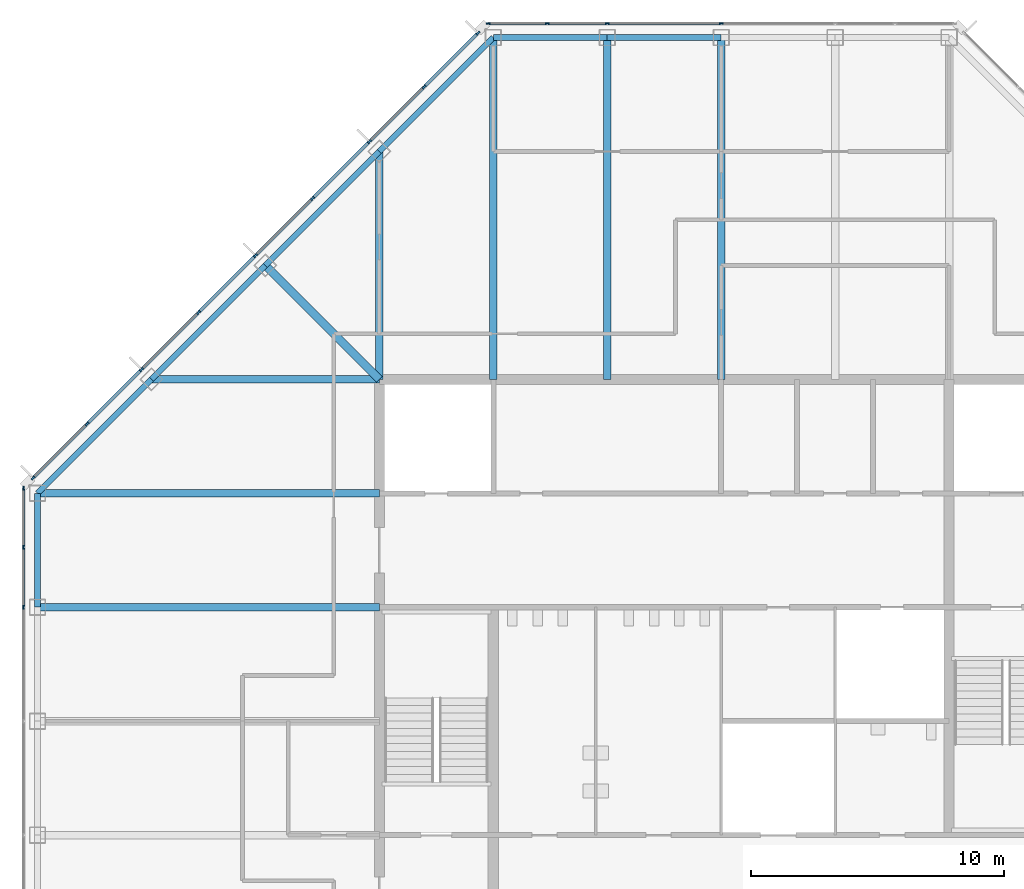
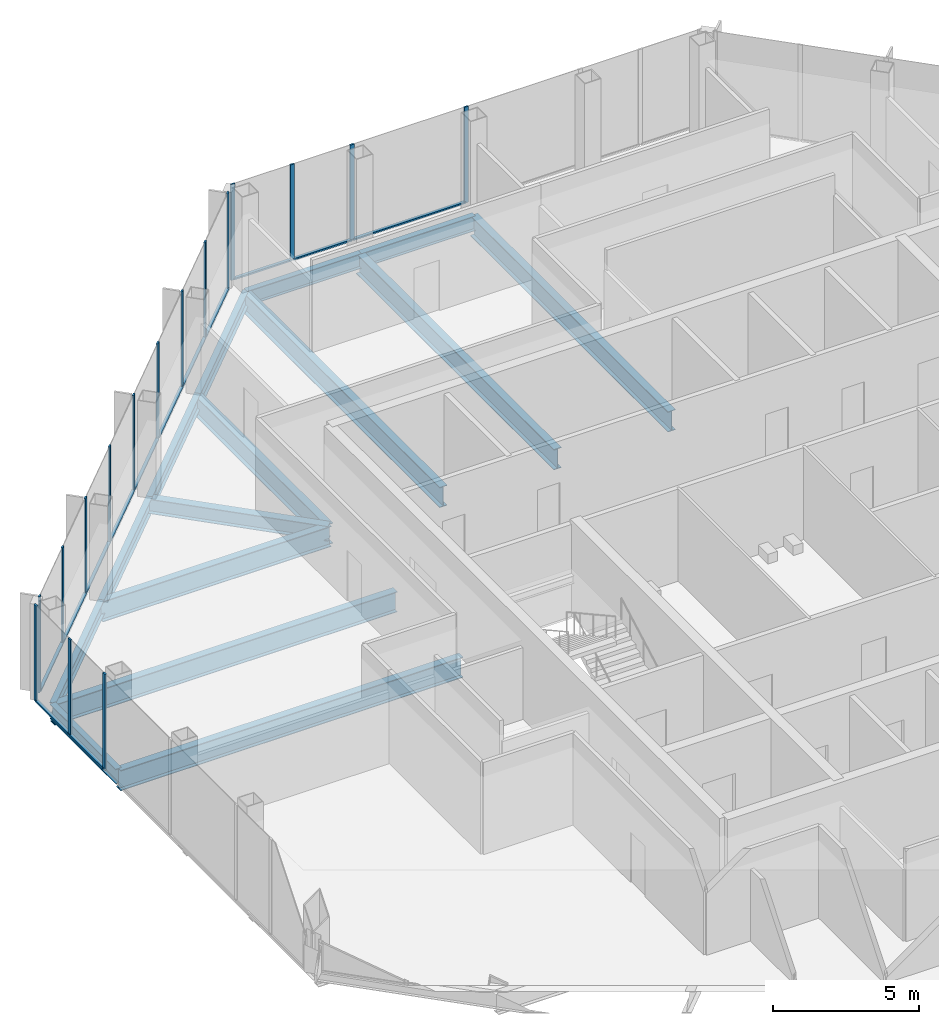
# One storey, part 6 of 13: 29 members, 15 beams, 3 elements without a shape of their own.
"""IFC4 building model written with IfcOpenShell, lengths in metres."""

import ifcopenshell
import ifcopenshell.guid

model = None  # the IFC model being written
_history = None  # IfcOwnerHistory: only IFC2X3 demands one
_inside = {}  # id of a spatial element -> (the spatial element, [elements in it])
_under = {}  # id of a project, library or spatial element -> (it, [spatial elements below it])
_declared = {}  # id of a project -> (the project, [libraries it declares])
_typed = {}  # id of a type object -> (the type object, [elements of that type])
_made_of = {}  # id of a material, layer set ... -> (it, [elements and type objects made of it])


def new_model(schema):
    """Start an empty IFC model of exactly this schema.

    Asked for "IFC4X3", IfcOpenShell would pick the latest addendum, in which some entities
    have other attributes; the version numbers below select the first issue.
    IFC2X3 requires an IfcOwnerHistory on every rooted entity: one is made here for all.
    """
    global model, _history
    if schema == "IFC4X3":
        model = ifcopenshell.file(schema_version=(4, 3, 0, 0))
    else:
        model = ifcopenshell.file(schema=schema)
    _inside.clear()
    _under.clear()
    _declared.clear()
    _typed.clear()
    _made_of.clear()
    _history = None
    if model.schema == "IFC2X3":
        org = make("IfcOrganization", Name="unknown")
        user = make(
            "IfcPersonAndOrganization",
            ThePerson=make("IfcPerson", FamilyName="unknown"),
            TheOrganization=org,
        )
        app = make(
            "IfcApplication",
            ApplicationDeveloper=org,
            Version="unknown",
            ApplicationFullName="unknown",
            ApplicationIdentifier="unknown",
        )
        _history = make(
            "IfcOwnerHistory",
            OwningUser=user,
            OwningApplication=app,
            ChangeAction="ADDED",
            CreationDate=0,
        )
    return model


def make(cls, **values):
    """One entity of the class cls with the attributes given. An attribute that is None is left unset."""
    return model.create_entity(
        cls, **{name: value for name, value in values.items() if value is not None}
    )


def rooted(cls, **values):
    """An entity with a GlobalId (a new one), such as an element, a storey or a relation."""
    return make(cls, GlobalId=ifcopenshell.guid.new(), OwnerHistory=_history, **values)


def si_unit(unit_type, name, prefix=None):
    """IfcSIUnit, for example si_unit("LENGTHUNIT", "METRE", prefix="MILLI")."""
    return make("IfcSIUnit", UnitType=unit_type, Prefix=prefix, Name=name)


def assignment(units):
    """IfcUnitAssignment: the units of a project."""
    return None if units is None else make("IfcUnitAssignment", Units=units)


def point(xyz):
    """IfcCartesianPoint."""
    return None if xyz is None else make("IfcCartesianPoint", Coordinates=xyz)


def direction(xyz):
    """IfcDirection."""
    return None if xyz is None else make("IfcDirection", DirectionRatios=xyz)


def frame(location, z_axis=None, x_axis=None):
    """IfcAxis2Placement3D, a coordinate frame: its origin and axes. An axis left out is left unset."""
    return make(
        "IfcAxis2Placement3D",
        Location=point(location),
        Axis=direction(z_axis),
        RefDirection=direction(x_axis),
    )


def frame_2d(location, x_axis=None):
    """IfcAxis2Placement2D, a coordinate frame in the plane: its origin and x axis."""
    return make(
        "IfcAxis2Placement2D", Location=point(location), RefDirection=direction(x_axis)
    )


def origin():
    """The frame at (0, 0, 0) with its axes left unset."""
    return frame((0.0, 0.0, 0.0))


def origin_2d():
    """The frame at (0, 0) in the plane with its x axis left unset."""
    return frame_2d((0.0, 0.0))


def place(relative_to, where):
    """IfcLocalPlacement: puts the frame where relative to a parent placement (None: the world)."""
    return make(
        "IfcLocalPlacement", PlacementRelTo=relative_to, RelativePlacement=where
    )


def context(
    kind, dimensions, precision=None, world=None, true_north=None, identifier=None
):
    """IfcGeometricRepresentationContext, for example the 3D "Model" context."""
    return make(
        "IfcGeometricRepresentationContext",
        ContextIdentifier=identifier,
        ContextType=kind,
        CoordinateSpaceDimension=dimensions,
        Precision=precision,
        WorldCoordinateSystem=world,
        TrueNorth=true_north,
    )


def subcontext(parent, identifier, kind, view, scale=None):
    """IfcGeometricRepresentationSubContext, for example "Body" below "Model"."""
    return make(
        "IfcGeometricRepresentationSubContext",
        ContextIdentifier=identifier,
        ContextType=kind,
        ParentContext=parent,
        TargetScale=scale,
        TargetView=view,
    )


def project(units=None, contexts=None):
    """IfcProject with its units and contexts."""
    return rooted(
        "IfcProject",
        Name="project",
        RepresentationContexts=contexts,
        UnitsInContext=assignment(units),
    )


def spatial(cls, under=None, at=None, **own):
    """A site, building, storey or space (cls), placed at a placement, below another one or the project."""
    s = rooted(cls, ObjectPlacement=at, **own)
    if under is not None:
        _under.setdefault(under.id(), (under, []))[1].append(s)
    return s


def profile(cls, at=None, kind="AREA", **sizes):
    """A parametric profile (cls). Its sizes go by their IFC names, for example OverallWidth=200.0."""
    return make(cls, ProfileType=kind, Position=at, **sizes)


def rectangle(**sizes):
    """IfcRectangleProfileDef."""
    return profile("IfcRectangleProfileDef", **sizes)


def i_section(**sizes):
    """IfcIShapeProfileDef."""
    return profile("IfcIShapeProfileDef", **sizes)


def extrude(swept, where, along, depth):
    """IfcExtrudedAreaSolid: the profile swept, set in the frame where, extruded along a direction by depth."""
    return make(
        "IfcExtrudedAreaSolid",
        SweptArea=swept,
        Position=where,
        ExtrudedDirection=direction(along),
        Depth=depth,
    )


def shape(context_of_items, identifier, shape_type, items):
    """IfcShapeRepresentation: the items that make up one representation, for example the "Body"."""
    return make(
        "IfcShapeRepresentation",
        ContextOfItems=context_of_items,
        RepresentationIdentifier=identifier,
        RepresentationType=shape_type,
        Items=items,
    )


def material(Name=None, Category=None):
    """IfcMaterial."""
    return make("IfcMaterial", Name=Name, Category=Category)


def material_profile(
    of_material, cross_section, Name=None, Category=None, Priority=None
):
    """IfcMaterialProfile: a cross section and its material."""
    return make(
        "IfcMaterialProfile",
        Name=Name,
        Material=of_material,
        Profile=cross_section,
        Priority=Priority,
        Category=Category,
    )


def profile_set(profiles, Name=None, composite=None):
    """IfcMaterialProfileSet."""
    return make(
        "IfcMaterialProfileSet",
        Name=Name,
        MaterialProfiles=profiles,
        CompositeProfile=composite,
    )


def made_of(thing, what):
    """Note that an element or type object is made of a material, layer set ...; save() writes the relation."""
    if what is not None:
        _made_of.setdefault(what.id(), (what, []))[1].append(thing)
    return thing


def type_object(cls, material=None, **own):
    """A type object (cls), such as IfcWallType, which elements share."""
    return made_of(rooted(cls, **own), material)


def element(
    cls,
    number,
    at=None,
    inside=None,
    cuts=None,
    type_object=None,
    material=None,
    context=None,
    identifier="Body",
    shape_type=None,
    held_by="IfcProductDefinitionShape",
    body=None,
    shapes=None,
    **own,
):
    """One element of the class cls, such as IfcWall. Its Tag is "e" and its number.

    at: its placement. inside: the storey or other place that contains it. cuts: it is an
    opening in that element (IfcRelVoidsElement). A single representation is given by context,
    identifier, shape_type and body (its items); several are given by shapes. held_by: the class
    of the entity that holds the representations. save() writes the other relations.
    """
    e = rooted(cls, Tag="e%d" % number, ObjectPlacement=at, **own)
    if body is not None:
        shapes = [shape(context, identifier, shape_type, body)]
    if shapes is not None:
        e.Representation = make(held_by, Representations=shapes)
    if inside is not None:
        _inside.setdefault(inside.id(), (inside, []))[1].append(e)
    if cuts is not None:
        rooted(
            "IfcRelVoidsElement", RelatingBuildingElement=cuts, RelatedOpeningElement=e
        )
    if type_object is not None:
        _typed.setdefault(type_object.id(), (type_object, []))[1].append(e)
    return made_of(e, material)


def aggregate(whole, parts):
    """IfcRelAggregates: a whole, such as a stair, and the parts it consists of."""
    return rooted("IfcRelAggregates", RelatingObject=whole, RelatedObjects=parts)


def save(model, path):
    """Write the relations noted so far, then the file.

    IfcRelAggregates (storeys below a building ...), IfcRelContainedInSpatialStructure (elements
    in a storey), IfcRelDefinesByType, IfcRelAssociatesMaterial and IfcRelDeclares: one each for
    every whole, place, type object, material and project.
    """
    for whole, parts in _under.values():
        aggregate(whole, parts)
    for where, things in _inside.values():
        rooted(
            "IfcRelContainedInSpatialStructure",
            RelatedElements=things,
            RelatingStructure=where,
        )
    for kind, things in _typed.values():
        rooted("IfcRelDefinesByType", RelatedObjects=things, RelatingType=kind)
    for what, things in _made_of.values():
        rooted("IfcRelAssociatesMaterial", RelatedObjects=things, RelatingMaterial=what)
    for by, libraries in _declared.values():
        rooted("IfcRelDeclares", RelatingContext=by, RelatedDefinitions=libraries)
    model.write(path)


model = new_model("IFC4")

# Units and contexts
model_context = context("Model", 3, precision=1e-05, world=origin(), true_north=direction((0.0, 1.0)))
body_context = subcontext(model_context, "Body", "Model", "MODEL_VIEW")
ifc_project = project(units=[si_unit("LENGTHUNIT", "METRE"), si_unit("AREAUNIT", "SQUARE_METRE"), si_unit("VOLUMEUNIT", "CUBIC_METRE"), si_unit("PLANEANGLEUNIT", "RADIAN"), si_unit("MASSUNIT", "GRAM", prefix="KILO")], contexts=[model_context])

# Site, building, storey
site_placement = place(None, origin())
site = spatial("IfcSite", under=ifc_project, at=site_placement, CompositionType="ELEMENT")
building_placement = place(site_placement, origin())
building = spatial("IfcBuilding", under=site, at=building_placement, Name="Corais Broadcast Tower", CompositionType="ELEMENT")
storey_placement = place(building_placement, frame((0.0, 0.0, 238.60009765625)))
storey = spatial("IfcBuildingStorey", under=building, at=storey_placement, Name="L55", CompositionType="ELEMENT", Elevation=238.60009765625)

# Beams
ifc_material_1 = material(Name="Steel ASTM A572 Grade 50", Category="steel")
ifc_material_profile_1 = material_profile(ifc_material_1, i_section(OverallWidth=0.323974609375, OverallDepth=0.611083984375, WebThickness=0.0126953125, FlangeThickness=0.01904296875, at=origin_2d()), Name="W610x155")
ifc_profile_set_1 = profile_set([ifc_material_profile_1], Name="Steel ASTM A572 Grade 50")
beam_type_1 = type_object("IfcBeamType", Name="Corner diagonal W610x155", PredefinedType="BEAM", material=ifc_profile_set_1)
beam_1_placement = place(storey_placement, frame((9.0, 45.0, -0.465576171875), z_axis=(0.707106781187, -0.707106781187, 0.0), x_axis=(0.707106781187, 0.707106781187, 0.0)))
element("IfcBeam", 1, at=beam_1_placement, inside=storey, type_object=beam_type_1, Name="B6 L/5 to K/6", PredefinedType="BEAM", context=body_context, shape_type="SweptSolid", body=[
    extrude(i_section(OverallWidth=0.323974609375, OverallDepth=0.611083984375, WebThickness=0.0126953125, FlangeThickness=0.01904296875, at=origin_2d()), origin(), (0.0, 0.0, 1.0), 6.364013671875),
])
ifc_material_2 = material(Name="Steel ASTM A572 Grade 50", Category="steel")
ifc_material_profile_2 = material_profile(ifc_material_2, i_section(OverallWidth=0.2939453125, OverallDepth=0.85107421875, WebThickness=0.01611328125, FlangeThickness=0.02685546875, at=origin_2d()), Name="W840x226")
ifc_profile_set_2 = profile_set([ifc_material_profile_2], Name="Steel ASTM A572 Grade 50")
beam_type_2 = type_object("IfcBeamType", Name="Floor beam W840x226", PredefinedType="BEAM", material=ifc_profile_set_2)
for number, where, z_axis, x_axis, name in (
    (2, (0.0, 31.5, -0.585693359375), (1.0, 0.0, 0.0), (0.0, 1.0, 0.0), "B1 H/3 to H/6"),
    (3, (0.0, 36.0, -0.585693359375), (1.0, 0.0, 0.0), (0.0, 1.0, 0.0), "B1 J/3 to J/6"),
):
    element("IfcBeam", number, at=place(storey_placement, frame(where, z_axis=z_axis, x_axis=x_axis)), inside=storey, type_object=beam_type_2, Name=name, PredefinedType="BEAM", context=body_context, shape_type="SweptSolid", body=[
        extrude(i_section(OverallWidth=0.2939453125, OverallDepth=0.85107421875, WebThickness=0.01611328125, FlangeThickness=0.02685546875, at=origin_2d()), origin(), (0.0, 0.0, 1.0), 13.5),
    ])
beam_2_placement = place(storey_placement, frame((13.5, 49.5, -0.585693359375), z_axis=(0.0, -1.0, 0.0), x_axis=(1.0, 0.0, 0.0)))
element("IfcBeam", 4, at=beam_2_placement, inside=storey, type_object=beam_type_2, Name="B1 M/6 to K/6", PredefinedType="BEAM", context=body_context, shape_type="SweptSolid", body=[
    extrude(i_section(OverallWidth=0.2939453125, OverallDepth=0.85107421875, WebThickness=0.01611328125, FlangeThickness=0.02685546875, at=origin_2d()), origin(), (0.0, 0.0, 1.0), 9.0),
])
for number, where, z_axis, x_axis, name in (
    (5, (18.0, 54.0, -0.585693359375), (0.0, -1.0, 0.0), (1.0, 0.0, 0.0), "B1 N/7 to K/7"),
    (6, (22.5, 54.0, -0.585693359375), (0.0, -1.0, 0.0), (1.0, 0.0, 0.0), "B1 N/8 to K/8"),
    (7, (27.0, 54.0, -0.585693359375), (0.0, -1.0, 0.0), (1.0, 0.0, 0.0), "B1 N/9 to K/9"),
):
    element("IfcBeam", number, at=place(storey_placement, frame(where, z_axis=z_axis, x_axis=x_axis)), inside=storey, type_object=beam_type_2, Name=name, PredefinedType="BEAM", context=body_context, shape_type="SweptSolid", body=[
        extrude(i_section(OverallWidth=0.2939453125, OverallDepth=0.85107421875, WebThickness=0.01611328125, FlangeThickness=0.02685546875, at=origin_2d()), origin(), (0.0, 0.0, 1.0), 13.5),
    ])
beam_3_placement = place(storey_placement, frame((4.5, 40.5, -0.585693359375), z_axis=(1.0, 0.0, 0.0), x_axis=(0.0, 1.0, 0.0)))
element("IfcBeam", 8, at=beam_3_placement, inside=storey, type_object=beam_type_2, Name="B1 K/4 to K/6", PredefinedType="BEAM", context=body_context, shape_type="SweptSolid", body=[
    extrude(i_section(OverallWidth=0.2939453125, OverallDepth=0.85107421875, WebThickness=0.01611328125, FlangeThickness=0.02685546875, at=origin_2d()), origin(), (0.0, 0.0, 1.0), 9.0),
])

# Curtain wall, members
ifc_material_3 = material(Name="Aluminium and glass", Category="aluminium")
curtain_wall_type = type_object("IfcCurtainWallType", Name="Unitised fritted curtain wall CW3", PredefinedType="NOTDEFINED", material=ifc_material_3)
curtain_wall_1_placement = place(storey_placement, origin())
curtain_wall_1 = element("IfcCurtainWall", 9, at=curtain_wall_1_placement, inside=storey, type_object=curtain_wall_type, Name="CW3 curtain wall L55 2", PredefinedType="NOTDEFINED")
ifc_material_4 = material(Name="Aluminium 6063-T6", Category="aluminium")
ifc_material_profile_3 = material_profile(ifc_material_4, rectangle(XDim=0.06494140625, YDim=0.159912109375, at=origin_2d()), Name="Mullion CW3 65x160")
ifc_profile_set_3 = profile_set([ifc_material_profile_3], Name="Aluminium 6063-T6")
member_type_1 = type_object("IfcMemberType", Name="Mullion CW3 65x160", PredefinedType="MULLION", material=ifc_profile_set_3)
member_1_placement = place(storey_placement, frame((-0.550048828125, 31.5, 0.0), z_axis=(0.0, 0.0, 1.0), x_axis=(-1.0, 0.0, 0.0)))
member_1 = element("IfcMember", 10, at=member_1_placement, type_object=member_type_1, Name="CW3 mullion 5", PredefinedType="MULLION", context=body_context, shape_type="SweptSolid", body=[
    extrude(rectangle(XDim=0.06494140625, YDim=0.159912109375, at=origin_2d()), origin(), (0.0, 0.0, 1.0), 4.0),
])
member_2_placement = place(storey_placement, frame((-0.550048828125, 33.864013671875, 0.0), z_axis=(0.0, 0.0, 1.0), x_axis=(-1.0, 0.0, 0.0)))
member_2 = element("IfcMember", 11, at=member_2_placement, type_object=member_type_1, Name="CW3 mullion 6", PredefinedType="MULLION", context=body_context, shape_type="SweptSolid", body=[
    extrude(rectangle(XDim=0.06494140625, YDim=0.159912109375, at=origin_2d()), origin(), (0.0, 0.0, 1.0), 4.0),
])
member_3_placement = place(storey_placement, frame((-0.550048828125, 36.1953125, 0.0), z_axis=(0.0, 0.0, 1.0), x_axis=(-1.0, 0.0, 0.0)))
member_3 = element("IfcMember", 12, at=member_3_placement, type_object=member_type_1, Name="CW3 mullion 7", PredefinedType="MULLION", context=body_context, shape_type="SweptSolid", body=[
    extrude(rectangle(XDim=0.06494140625, YDim=0.159912109375, at=origin_2d()), origin(), (0.0, 0.0, 1.0), 4.0),
])

curtain_wall_2_placement = place(storey_placement, origin())
curtain_wall_2 = element("IfcCurtainWall", 13, at=curtain_wall_2_placement, inside=storey, type_object=curtain_wall_type, Name="CW3 curtain wall L55 3", PredefinedType="NOTDEFINED")
member_4_placement = place(storey_placement, frame((-0.17333984375, 36.6044921875, 0.0), z_axis=(0.0, 0.0, 1.0), x_axis=(-0.707106781187, 0.707106781187, 0.0)))
member_4 = element("IfcMember", 14, at=member_4_placement, type_object=member_type_1, Name="CW3 mullion 1", PredefinedType="MULLION", context=body_context, shape_type="SweptSolid", body=[
    extrude(rectangle(XDim=0.06494140625, YDim=0.159912109375, at=origin_2d()), origin(), (0.0, 0.0, 1.0), 4.0),
])
member_5_placement = place(storey_placement, frame((1.957275390625, 38.735107421875, 0.0), z_axis=(0.0, 0.0, 1.0), x_axis=(-0.707106781187, 0.707106781187, 0.0)))
member_5 = element("IfcMember", 15, at=member_5_placement, type_object=member_type_1, Name="CW3 mullion 2", PredefinedType="MULLION", context=body_context, shape_type="SweptSolid", body=[
    extrude(rectangle(XDim=0.06494140625, YDim=0.159912109375, at=origin_2d()), origin(), (0.0, 0.0, 1.0), 4.0),
])
member_6_placement = place(storey_placement, frame((4.111083984375, 40.888916015625, 0.0), z_axis=(0.0, 0.0, 1.0), x_axis=(-0.707106781187, 0.707106781187, 0.0)))
member_6 = element("IfcMember", 16, at=member_6_placement, type_object=member_type_1, Name="CW3 mullion 3", PredefinedType="MULLION", context=body_context, shape_type="SweptSolid", body=[
    extrude(rectangle(XDim=0.06494140625, YDim=0.159912109375, at=origin_2d()), origin(), (0.0, 0.0, 1.0), 4.0),
])
member_7_placement = place(storey_placement, frame((6.361083984375, 43.138916015625, 0.0), z_axis=(0.0, 0.0, 1.0), x_axis=(-0.707106781187, 0.707106781187, 0.0)))
member_7 = element("IfcMember", 17, at=member_7_placement, type_object=member_type_1, Name="CW3 mullion 4", PredefinedType="MULLION", context=body_context, shape_type="SweptSolid", body=[
    extrude(rectangle(XDim=0.06494140625, YDim=0.159912109375, at=origin_2d()), origin(), (0.0, 0.0, 1.0), 4.0),
])
member_8_placement = place(storey_placement, frame((8.611083984375, 45.388916015625, 0.0), z_axis=(0.0, 0.0, 1.0), x_axis=(-0.707106781187, 0.707106781187, 0.0)))
member_8 = element("IfcMember", 18, at=member_8_placement, type_object=member_type_1, Name="CW3 mullion 5", PredefinedType="MULLION", context=body_context, shape_type="SweptSolid", body=[
    extrude(rectangle(XDim=0.06494140625, YDim=0.159912109375, at=origin_2d()), origin(), (0.0, 0.0, 1.0), 4.0),
])
member_9_placement = place(storey_placement, frame((10.861083984375, 47.638916015625, 0.0), z_axis=(0.0, 0.0, 1.0), x_axis=(-0.707106781187, 0.707106781187, 0.0)))
member_9 = element("IfcMember", 19, at=member_9_placement, type_object=member_type_1, Name="CW3 mullion 6", PredefinedType="MULLION", context=body_context, shape_type="SweptSolid", body=[
    extrude(rectangle(XDim=0.06494140625, YDim=0.159912109375, at=origin_2d()), origin(), (0.0, 0.0, 1.0), 4.0),
])
member_10_placement = place(storey_placement, frame((13.111083984375, 49.888916015625, 0.0), z_axis=(0.0, 0.0, 1.0), x_axis=(-0.707106781187, 0.707106781187, 0.0)))
member_10 = element("IfcMember", 20, at=member_10_placement, type_object=member_type_1, Name="CW3 mullion 7", PredefinedType="MULLION", context=body_context, shape_type="SweptSolid", body=[
    extrude(rectangle(XDim=0.06494140625, YDim=0.159912109375, at=origin_2d()), origin(), (0.0, 0.0, 1.0), 4.0),
])
member_11_placement = place(storey_placement, frame((15.264892578125, 52.042724609375, 0.0), z_axis=(0.0, 0.0, 1.0), x_axis=(-0.707106781187, 0.707106781187, 0.0)))
member_11 = element("IfcMember", 21, at=member_11_placement, type_object=member_type_1, Name="CW3 mullion 8", PredefinedType="MULLION", context=body_context, shape_type="SweptSolid", body=[
    extrude(rectangle(XDim=0.06494140625, YDim=0.159912109375, at=origin_2d()), origin(), (0.0, 0.0, 1.0), 4.0),
])
member_12_placement = place(storey_placement, frame((17.3955078125, 54.17333984375, 0.0), z_axis=(0.0, 0.0, 1.0), x_axis=(-0.707106781187, 0.707106781187, 0.0)))
member_12 = element("IfcMember", 22, at=member_12_placement, type_object=member_type_1, Name="CW3 mullion 9", PredefinedType="MULLION", context=body_context, shape_type="SweptSolid", body=[
    extrude(rectangle(XDim=0.06494140625, YDim=0.159912109375, at=origin_2d()), origin(), (0.0, 0.0, 1.0), 4.0),
])

curtain_wall_3_placement = place(storey_placement, origin())
curtain_wall_3 = element("IfcCurtainWall", 23, at=curtain_wall_3_placement, inside=storey, type_object=curtain_wall_type, Name="CW3 curtain wall L55 4", PredefinedType="NOTDEFINED")
member_13_placement = place(storey_placement, frame((17.8046875, 54.550048828125, 0.0), z_axis=(0.0, 0.0, 1.0), x_axis=(0.0, 1.0, 0.0)))
member_13 = element("IfcMember", 24, at=member_13_placement, type_object=member_type_1, Name="CW3 mullion 1", PredefinedType="MULLION", context=body_context, shape_type="SweptSolid", body=[
    extrude(rectangle(XDim=0.06494140625, YDim=0.159912109375, at=origin_2d()), origin(), (0.0, 0.0, 1.0), 4.0),
])
member_14_placement = place(storey_placement, frame((20.135986328125, 54.550048828125, 0.0), z_axis=(0.0, 0.0, 1.0), x_axis=(0.0, 1.0, 0.0)))
member_14 = element("IfcMember", 25, at=member_14_placement, type_object=member_type_1, Name="CW3 mullion 2", PredefinedType="MULLION", context=body_context, shape_type="SweptSolid", body=[
    extrude(rectangle(XDim=0.06494140625, YDim=0.159912109375, at=origin_2d()), origin(), (0.0, 0.0, 1.0), 4.0),
])
member_15_placement = place(storey_placement, frame((22.5, 54.550048828125, 0.0), z_axis=(0.0, 0.0, 1.0), x_axis=(0.0, 1.0, 0.0)))
member_15 = element("IfcMember", 26, at=member_15_placement, type_object=member_type_1, Name="CW3 mullion 3", PredefinedType="MULLION", context=body_context, shape_type="SweptSolid", body=[
    extrude(rectangle(XDim=0.06494140625, YDim=0.159912109375, at=origin_2d()), origin(), (0.0, 0.0, 1.0), 4.0),
])
member_16_placement = place(storey_placement, frame((27.0, 54.550048828125, 0.0), z_axis=(0.0, 0.0, 1.0), x_axis=(0.0, 1.0, 0.0)))
member_16 = element("IfcMember", 27, at=member_16_placement, type_object=member_type_1, Name="CW3 mullion 4", PredefinedType="MULLION", context=body_context, shape_type="SweptSolid", body=[
    extrude(rectangle(XDim=0.06494140625, YDim=0.159912109375, at=origin_2d()), origin(), (0.0, 0.0, 1.0), 4.0),
])

# Beams
ifc_material_5 = material(Name="Steel ASTM A572 Grade 50", Category="steel")
ifc_material_profile_4 = material_profile(ifc_material_5, i_section(OverallWidth=0.22998046875, OverallDepth=0.616943359375, WebThickness=0.01318359375, FlangeThickness=0.022216796875, at=origin_2d()), Name="W610x140")
ifc_profile_set_4 = profile_set([ifc_material_profile_4], Name="Steel ASTM A572 Grade 50")
beam_type_3 = type_object("IfcBeamType", Name="Spandrel W610x140", PredefinedType="BEAM", material=ifc_profile_set_4)
beam_4_placement = place(storey_placement, frame((0.0, 36.0, -0.468505859375), z_axis=(0.0, -1.0, 0.0), x_axis=(1.0, 0.0, 0.0)))
element("IfcBeam", 28, at=beam_4_placement, inside=storey, type_object=beam_type_3, Name="SB3 J/3 to H/3", PredefinedType="BEAM", context=body_context, shape_type="SweptSolid", body=[
    extrude(i_section(OverallWidth=0.22998046875, OverallDepth=0.616943359375, WebThickness=0.01318359375, FlangeThickness=0.022216796875, at=origin_2d()), origin(), (0.0, 0.0, 1.0), 4.5),
])
for number, where, z_axis, x_axis, name in (
    (29, (13.5, 49.5, -0.468505859375), (-0.707106781187, -0.707106781187, 0.0), (0.707106781187, -0.707106781187, 0.0), "SB3 M/6 to L/5"),
    (30, (18.0, 54.0, -0.468505859375), (-0.707106781187, -0.707106781187, 0.0), (0.707106781187, -0.707106781187, 0.0), "SB3 N/7 to M/6"),
):
    element("IfcBeam", number, at=place(storey_placement, frame(where, z_axis=z_axis, x_axis=x_axis)), inside=storey, type_object=beam_type_3, Name=name, PredefinedType="BEAM", context=body_context, shape_type="SweptSolid", body=[
        extrude(i_section(OverallWidth=0.22998046875, OverallDepth=0.616943359375, WebThickness=0.01318359375, FlangeThickness=0.022216796875, at=origin_2d()), origin(), (0.0, 0.0, 1.0), 6.364013671875),
    ])
for number, where, z_axis, x_axis, name in (
    (31, (22.5, 54.0, -0.468505859375), (-1.0, 0.0, 0.0), (0.0, -1.0, 0.0), "SB3 N/8 to N/7"),
    (32, (27.0, 54.0, -0.468505859375), (-1.0, 0.0, 0.0), (0.0, -1.0, 0.0), "SB3 N/9 to N/8"),
):
    element("IfcBeam", number, at=place(storey_placement, frame(where, z_axis=z_axis, x_axis=x_axis)), inside=storey, type_object=beam_type_3, Name=name, PredefinedType="BEAM", context=body_context, shape_type="SweptSolid", body=[
        extrude(i_section(OverallWidth=0.22998046875, OverallDepth=0.616943359375, WebThickness=0.01318359375, FlangeThickness=0.022216796875, at=origin_2d()), origin(), (0.0, 0.0, 1.0), 4.5),
    ])
for number, where, z_axis, x_axis, name in (
    (33, (4.5, 40.5, -0.468505859375), (-0.707106781187, -0.707106781187, 0.0), (0.707106781187, -0.707106781187, 0.0), "SB3 K/4 to J/3"),
    (34, (9.0, 45.0, -0.468505859375), (-0.707106781187, -0.707106781187, 0.0), (0.707106781187, -0.707106781187, 0.0), "SB3 L/5 to K/4"),
):
    element("IfcBeam", number, at=place(storey_placement, frame(where, z_axis=z_axis, x_axis=x_axis)), inside=storey, type_object=beam_type_3, Name=name, PredefinedType="BEAM", context=body_context, shape_type="SweptSolid", body=[
        extrude(i_section(OverallWidth=0.22998046875, OverallDepth=0.616943359375, WebThickness=0.01318359375, FlangeThickness=0.022216796875, at=origin_2d()), origin(), (0.0, 0.0, 1.0), 6.364013671875),
    ])

# Member
ifc_material_6 = material(Name="Aluminium 6063-T6", Category="aluminium")
ifc_material_profile_5 = material_profile(ifc_material_6, rectangle(XDim=0.1201171875, YDim=0.06494140625, at=origin_2d()), Name="Transom CW3 65x120")
ifc_profile_set_5 = profile_set([ifc_material_profile_5], Name="Aluminium 6063-T6")
member_type_2 = type_object("IfcMemberType", Name="Transom CW3 65x120", PredefinedType="USERDEFINED", material=ifc_profile_set_5)
member_17_placement = place(storey_placement, frame((-0.550048828125, 31.532470703125, 0.032470703125), z_axis=(0.0, 1.0, 0.0), x_axis=(-1.0, 0.0, 0.0)))
member_17 = element("IfcMember", 35, at=member_17_placement, type_object=member_type_2, Name="CW3 transom 5.1", ObjectType="TRANSOM", PredefinedType="USERDEFINED", context=body_context, shape_type="SweptSolid", body=[
    extrude(rectangle(XDim=0.1201171875, YDim=0.06494140625, at=origin_2d()), origin(), (0.0, 0.0, 1.0), 2.298828125),
])

member_18_placement = place(storey_placement, frame((-0.550048828125, 33.896484375, 0.032470703125), z_axis=(0.0, 1.0, 0.0), x_axis=(-1.0, 0.0, 0.0)))
member_18 = element("IfcMember", 36, at=member_18_placement, type_object=member_type_2, Name="CW3 transom 6.1", ObjectType="TRANSOM", PredefinedType="USERDEFINED", context=body_context, shape_type="SweptSolid", body=[
    extrude(rectangle(XDim=0.1201171875, YDim=0.06494140625, at=origin_2d()), origin(), (0.0, 0.0, 1.0), 2.266357421875),
])

aggregate(curtain_wall_1, [member_1, member_2, member_3, member_17, member_18])

member_19_placement = place(storey_placement, frame((-0.150390625, 36.62744140625, 0.032470703125), z_axis=(0.707106781187, 0.707106781187, 0.0), x_axis=(-0.707106781187, 0.707106781187, 0.0)))
member_19 = element("IfcMember", 37, at=member_19_placement, type_object=member_type_2, Name="CW3 transom 1.1", ObjectType="TRANSOM", PredefinedType="USERDEFINED", context=body_context, shape_type="SweptSolid", body=[
    extrude(rectangle(XDim=0.1201171875, YDim=0.06494140625, at=origin_2d()), origin(), (0.0, 0.0, 1.0), 2.9482421875),
])

member_20_placement = place(storey_placement, frame((1.980224609375, 38.758056640625, 0.032470703125), z_axis=(0.707106781187, 0.707106781187, 0.0), x_axis=(-0.707106781187, 0.707106781187, 0.0)))
member_20 = element("IfcMember", 38, at=member_20_placement, type_object=member_type_2, Name="CW3 transom 2.1", ObjectType="TRANSOM", PredefinedType="USERDEFINED", context=body_context, shape_type="SweptSolid", body=[
    extrude(rectangle(XDim=0.1201171875, YDim=0.06494140625, at=origin_2d()), origin(), (0.0, 0.0, 1.0), 2.98095703125),
])

member_21_placement = place(storey_placement, frame((4.134033203125, 40.911865234375, 0.032470703125), z_axis=(0.707106781187, 0.707106781187, 0.0), x_axis=(-0.707106781187, 0.707106781187, 0.0)))
member_21 = element("IfcMember", 39, at=member_21_placement, type_object=member_type_2, Name="CW3 transom 3.1", ObjectType="TRANSOM", PredefinedType="USERDEFINED", context=body_context, shape_type="SweptSolid", body=[
    extrude(rectangle(XDim=0.1201171875, YDim=0.06494140625, at=origin_2d()), origin(), (0.0, 0.0, 1.0), 3.1171875),
])

member_22_placement = place(storey_placement, frame((6.384033203125, 43.161865234375, 0.032470703125), z_axis=(0.707106781187, 0.707106781187, 0.0), x_axis=(-0.707106781187, 0.707106781187, 0.0)))
member_22 = element("IfcMember", 40, at=member_22_placement, type_object=member_type_2, Name="CW3 transom 4.1", ObjectType="TRANSOM", PredefinedType="USERDEFINED", context=body_context, shape_type="SweptSolid", body=[
    extrude(rectangle(XDim=0.1201171875, YDim=0.06494140625, at=origin_2d()), origin(), (0.0, 0.0, 1.0), 3.1171875),
])

member_23_placement = place(storey_placement, frame((8.634033203125, 45.411865234375, 0.032470703125), z_axis=(0.707106781187, 0.707106781187, 0.0), x_axis=(-0.707106781187, 0.707106781187, 0.0)))
member_23 = element("IfcMember", 41, at=member_23_placement, type_object=member_type_2, Name="CW3 transom 5.1", ObjectType="TRANSOM", PredefinedType="USERDEFINED", context=body_context, shape_type="SweptSolid", body=[
    extrude(rectangle(XDim=0.1201171875, YDim=0.06494140625, at=origin_2d()), origin(), (0.0, 0.0, 1.0), 3.1171875),
])

member_24_placement = place(storey_placement, frame((10.884033203125, 47.661865234375, 0.032470703125), z_axis=(0.707106781187, 0.707106781187, 0.0), x_axis=(-0.707106781187, 0.707106781187, 0.0)))
member_24 = element("IfcMember", 42, at=member_24_placement, type_object=member_type_2, Name="CW3 transom 6.1", ObjectType="TRANSOM", PredefinedType="USERDEFINED", context=body_context, shape_type="SweptSolid", body=[
    extrude(rectangle(XDim=0.1201171875, YDim=0.06494140625, at=origin_2d()), origin(), (0.0, 0.0, 1.0), 3.1171875),
])

member_25_placement = place(storey_placement, frame((13.134033203125, 49.911865234375, 0.032470703125), z_axis=(0.70714773134, 0.707065828661, 0.0), x_axis=(-0.707065828661, 0.70714773134, 0.0)))
member_25 = element("IfcMember", 43, at=member_25_placement, type_object=member_type_2, Name="CW3 transom 7.1", ObjectType="TRANSOM", PredefinedType="USERDEFINED", context=body_context, shape_type="SweptSolid", body=[
    extrude(rectangle(XDim=0.1201171875, YDim=0.06494140625, at=origin_2d()), origin(), (0.0, 0.0, 1.0), 2.98095703125),
])

member_26_placement = place(storey_placement, frame((15.287841796875, 52.065673828125, 0.032470703125), z_axis=(0.707106781187, 0.707106781187, 0.0), x_axis=(-0.707106781187, 0.707106781187, 0.0)))
member_26 = element("IfcMember", 44, at=member_26_placement, type_object=member_type_2, Name="CW3 transom 8.1", ObjectType="TRANSOM", PredefinedType="USERDEFINED", context=body_context, shape_type="SweptSolid", body=[
    extrude(rectangle(XDim=0.1201171875, YDim=0.06494140625, at=origin_2d()), origin(), (0.0, 0.0, 1.0), 2.9482421875),
])

aggregate(curtain_wall_2, [member_4, member_5, member_6, member_7, member_8, member_9, member_10, member_11, member_12, member_19, member_20, member_21, member_22, member_23, member_24, member_25, member_26])

member_27_placement = place(storey_placement, frame((17.837158203125, 54.550048828125, 0.032470703125), z_axis=(1.0, 0.0, 0.0), x_axis=(0.0, 1.0, 0.0)))
member_27 = element("IfcMember", 45, at=member_27_placement, type_object=member_type_2, Name="CW3 transom 1.1", ObjectType="TRANSOM", PredefinedType="USERDEFINED", context=body_context, shape_type="SweptSolid", body=[
    extrude(rectangle(XDim=0.1201171875, YDim=0.06494140625, at=origin_2d()), origin(), (0.0, 0.0, 1.0), 2.266357421875),
])

member_28_placement = place(storey_placement, frame((20.168701171875, 54.550048828125, 0.032470703125), z_axis=(1.0, 0.0, 0.0), x_axis=(0.0, 1.0, 0.0)))
member_28 = element("IfcMember", 46, at=member_28_placement, type_object=member_type_2, Name="CW3 transom 2.1", ObjectType="TRANSOM", PredefinedType="USERDEFINED", context=body_context, shape_type="SweptSolid", body=[
    extrude(rectangle(XDim=0.1201171875, YDim=0.06494140625, at=origin_2d()), origin(), (0.0, 0.0, 1.0), 2.298828125),
])

member_29_placement = place(storey_placement, frame((22.532470703125, 54.550048828125, 0.032470703125), z_axis=(1.0, 0.0, 0.0), x_axis=(0.0, 1.0, 0.0)))
member_29 = element("IfcMember", 47, at=member_29_placement, type_object=member_type_2, Name="CW3 transom 3.1", ObjectType="TRANSOM", PredefinedType="USERDEFINED", context=body_context, shape_type="SweptSolid", body=[
    extrude(rectangle(XDim=0.1201171875, YDim=0.06494140625, at=origin_2d()), origin(), (0.0, 0.0, 1.0), 4.43505859375),
])

aggregate(curtain_wall_3, [member_13, member_14, member_15, member_16, member_27, member_28, member_29])

save(model, "model.ifc")
